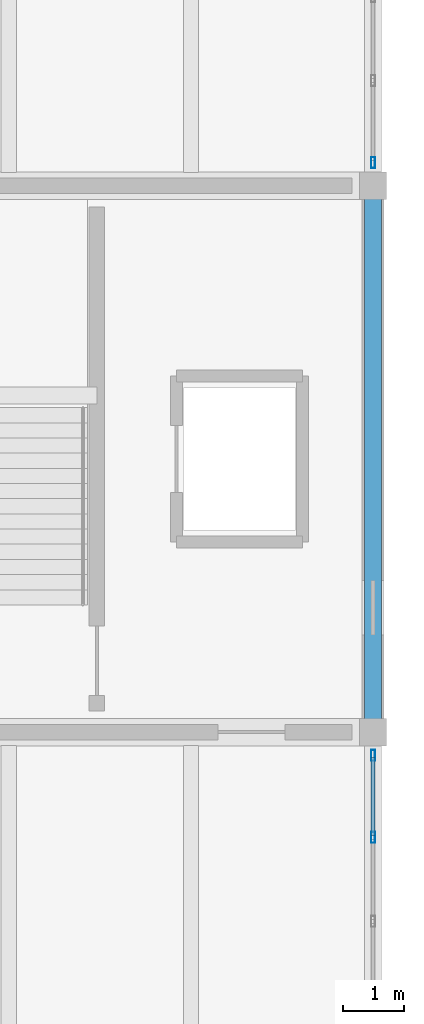
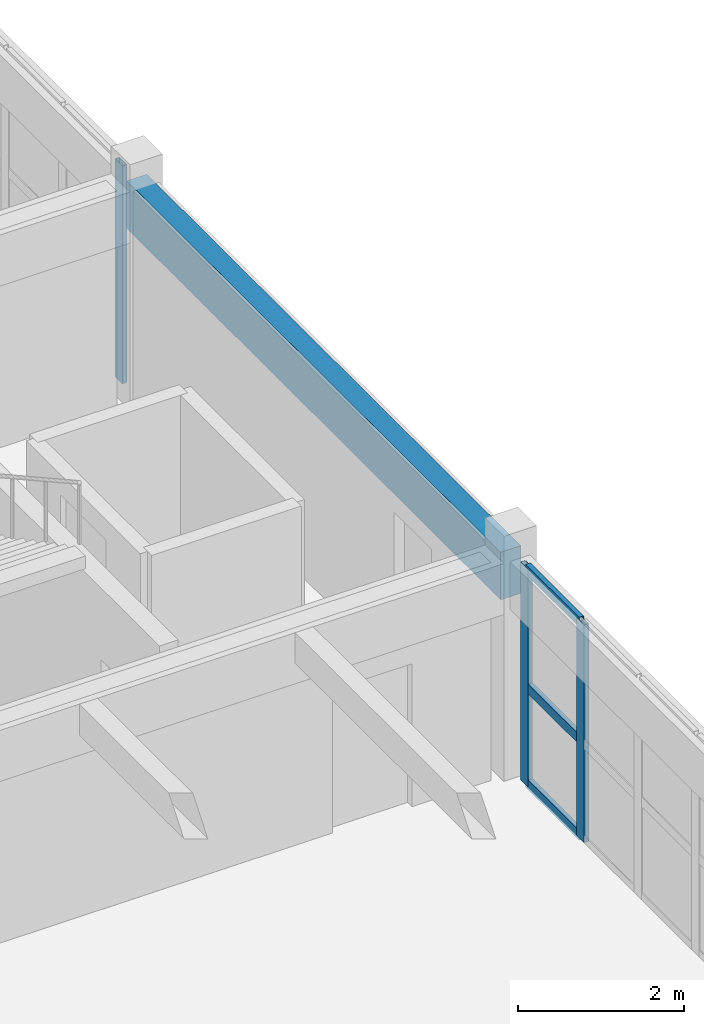
# One storey, part 50 of 80: 6 members, 1 beam, 2 elements without a shape of their own.
"""IFC4 building model written with IfcOpenShell, lengths in metres."""

from ifc_helpers import new_model, si_unit, direction, frame, origin, origin_2d, place, context, subcontext, project, spatial, rectangle, hollow_rectangle, extrude, material, layer, layer_set, material_profile, profile_set, type_object, element, aggregate, save


model = new_model("IFC4")

# Units and contexts
model_context = context("Model", 3, precision=1e-05, world=origin(), true_north=direction((0.0, 1.0)))
body_context = subcontext(model_context, "Body", "Model", "MODEL_VIEW")
ifc_project = project(units=[si_unit("LENGTHUNIT", "METRE"), si_unit("AREAUNIT", "SQUARE_METRE"), si_unit("VOLUMEUNIT", "CUBIC_METRE"), si_unit("PLANEANGLEUNIT", "RADIAN"), si_unit("MASSUNIT", "GRAM", prefix="KILO")], contexts=[model_context])

# Site, building, storey
site_placement = place(None, origin())
site = spatial("IfcSite", under=ifc_project, at=site_placement, CompositionType="ELEMENT")
building_placement = place(site_placement, origin())
building = spatial("IfcBuilding", under=site, at=building_placement, Name="Ornek Quay Market", CompositionType="ELEMENT")
storey_placement = place(building_placement, frame((0.0, 0.0, 8.39990234375)))
storey = spatial("IfcBuildingStorey", under=building, at=storey_placement, Name="L02", CompositionType="ELEMENT", Elevation=8.39990234375)

# Beam
ifc_material_1 = material(Name="Concrete C35/45", Category="concrete")
ifc_material_profile_1 = material_profile(ifc_material_1, rectangle(XDim=0.280029296875, YDim=0.699951171875, at=origin_2d()), Name="RC 280x700", Category="concrete")
ifc_profile_set_1 = profile_set([ifc_material_profile_1], Name="Concrete C35/45")
beam_type = type_object("IfcBeamType", Name="BM-SPN-280x700", PredefinedType="SPANDREL", material=ifc_profile_set_1)
beam_placement = place(storey_placement, frame((180.0, 92.0, 2.85009765625), z_axis=(0.0, 1.0, 0.0), x_axis=(-1.0, 0.0, 0.0)))
element("IfcBeam", 1, at=beam_placement, inside=storey, type_object=beam_type, Name="Primary beam B-SP2-101", PredefinedType="SPANDREL", context=body_context, shape_type="SweptSolid", body=[
    extrude(rectangle(XDim=0.280029296875, YDim=0.699951171875, at=origin_2d()), origin(), (0.0, 0.0, 1.0), 9.0),
])

# Curtain wall, members
ifc_material_2 = material(Name="Anodised bronze aluminium and triple low-e glass", Category="aluminium")
ifc_layer = layer(ifc_material_2, 0.18994140625, Name="Anodised bronze aluminium and triple low-e glass", Category="aluminium")
ifc_layer_set = layer_set([ifc_layer], Name="Anodised bronze aluminium and triple low-e glass")
curtain_wall_type = type_object("IfcCurtainWallType", Name="CW-FC-MOD1500", PredefinedType="USERDEFINED", material=ifc_layer_set)
curtain_wall_1_placement = place(storey_placement, origin())
curtain_wall_1 = element("IfcCurtainWall", 2, at=curtain_wall_1_placement, inside=storey, type_object=curtain_wall_type, Name="Curtain wall CW-091", ObjectType="CURTAIN WALL", PredefinedType="USERDEFINED")
ifc_material_3 = material(Name="Anodised aluminium 6063-T6", Category="aluminium")
ifc_material_profile_2 = material_profile(ifc_material_3, hollow_rectangle(XDim=0.06494140625, YDim=0.179931640625, WallThickness=0.00439453125, at=origin_2d()), Name="CW-MUL-65x180", Category="aluminium")
ifc_profile_set_2 = profile_set([ifc_material_profile_2], Name="Anodised aluminium 6063-T6")
member_type_1 = type_object("IfcMemberType", Name="CW-MUL-65x180", PredefinedType="MULLION", material=ifc_profile_set_2)
member_1_placement = place(storey_placement, frame((180.0, 90.2666015625, 0.0), z_axis=(0.0, 0.0, 1.0), x_axis=(-1.0, 0.0, 0.0)))
member_1 = element("IfcMember", 3, at=member_1_placement, type_object=member_type_1, Name="CW-091 mullion 6", PredefinedType="MULLION", context=body_context, shape_type="SweptSolid", body=[
    extrude(hollow_rectangle(XDim=0.06494140625, YDim=0.179931640625, WallThickness=0.00439453125, at=origin_2d()), origin(), (0.0, 0.0, 1.0), 3.2001953125),
])
member_2_placement = place(storey_placement, frame((180.0, 91.617431640625, 0.0), z_axis=(0.0, 0.0, 1.0), x_axis=(-1.0, 0.0, 0.0)))
member_2 = element("IfcMember", 4, at=member_2_placement, type_object=member_type_1, Name="CW-091 mullion 7", PredefinedType="MULLION", context=body_context, shape_type="SweptSolid", body=[
    extrude(hollow_rectangle(XDim=0.06494140625, YDim=0.179931640625, WallThickness=0.00439453125, at=origin_2d()), origin(), (0.0, 0.0, 1.0), 3.2001953125),
])

# Curtain wall, member
curtain_wall_2_placement = place(storey_placement, origin())
curtain_wall_2 = element("IfcCurtainWall", 5, at=curtain_wall_2_placement, inside=storey, type_object=curtain_wall_type, Name="Curtain wall CW-092", ObjectType="CURTAIN WALL", PredefinedType="USERDEFINED")
member_3_placement = place(storey_placement, frame((180.0, 101.382568359375, 0.0), z_axis=(0.0, 0.0, 1.0), x_axis=(-1.0, 0.0, 0.0)))
member_3 = element("IfcMember", 6, at=member_3_placement, type_object=member_type_1, Name="CW-092 mullion 1", PredefinedType="MULLION", context=body_context, shape_type="SweptSolid", body=[
    extrude(hollow_rectangle(XDim=0.06494140625, YDim=0.179931640625, WallThickness=0.00439453125, at=origin_2d()), origin(), (0.0, 0.0, 1.0), 3.2001953125),
])
aggregate(curtain_wall_2, [member_3])

# Member
ifc_material_profile_3 = material_profile(ifc_material_3, hollow_rectangle(XDim=0.06494140625, YDim=0.139892578125, WallThickness=0.00439453125, at=origin_2d()), Name="CW-TRN-65x140", Category="aluminium")
ifc_profile_set_3 = profile_set([ifc_material_profile_3], Name="Anodised aluminium 6063-T6")
member_type_2 = type_object("IfcMemberType", Name="CW-TRN-65x140", PredefinedType="USERDEFINED", material=ifc_profile_set_3)
member_4_placement = place(storey_placement, frame((180.0, 90.299072265625, 0.03271484375), z_axis=(0.0, 1.0, 0.0), x_axis=(-1.0, 0.0, 0.0)))
member_4 = element("IfcMember", 7, at=member_4_placement, type_object=member_type_2, Name="CW-091 transom 6.1", ObjectType="TRANSOM", PredefinedType="USERDEFINED", context=body_context, shape_type="SweptSolid", body=[
    extrude(hollow_rectangle(XDim=0.06494140625, YDim=0.139892578125, WallThickness=0.00439453125, at=origin_2d()), origin(), (0.0, 0.0, 1.0), 1.285888671875),
])

member_5_placement = place(storey_placement, frame((180.0, 90.299072265625, 1.440185546875), z_axis=(0.0, 1.0, 0.0), x_axis=(-1.0, 0.0, 0.0)))
member_5 = element("IfcMember", 8, at=member_5_placement, type_object=member_type_2, Name="CW-091 transom 6.2", ObjectType="TRANSOM", PredefinedType="USERDEFINED", context=body_context, shape_type="SweptSolid", body=[
    extrude(hollow_rectangle(XDim=0.06494140625, YDim=0.139892578125, WallThickness=0.00439453125, at=origin_2d()), origin(), (0.0, 0.0, 1.0), 1.285888671875),
])

member_6_placement = place(storey_placement, frame((180.0, 90.299072265625, 3.16748046875), z_axis=(0.0, 1.0, 0.0), x_axis=(-1.0, 0.0, 0.0)))
member_6 = element("IfcMember", 9, at=member_6_placement, type_object=member_type_2, Name="CW-091 transom 6.3", ObjectType="TRANSOM", PredefinedType="USERDEFINED", context=body_context, shape_type="SweptSolid", body=[
    extrude(hollow_rectangle(XDim=0.06494140625, YDim=0.139892578125, WallThickness=0.00439453125, at=origin_2d()), origin(), (0.0, 0.0, 1.0), 1.285888671875),
])

aggregate(curtain_wall_1, [member_1, member_2, member_4, member_5, member_6])

save(model, "model.ifc")
